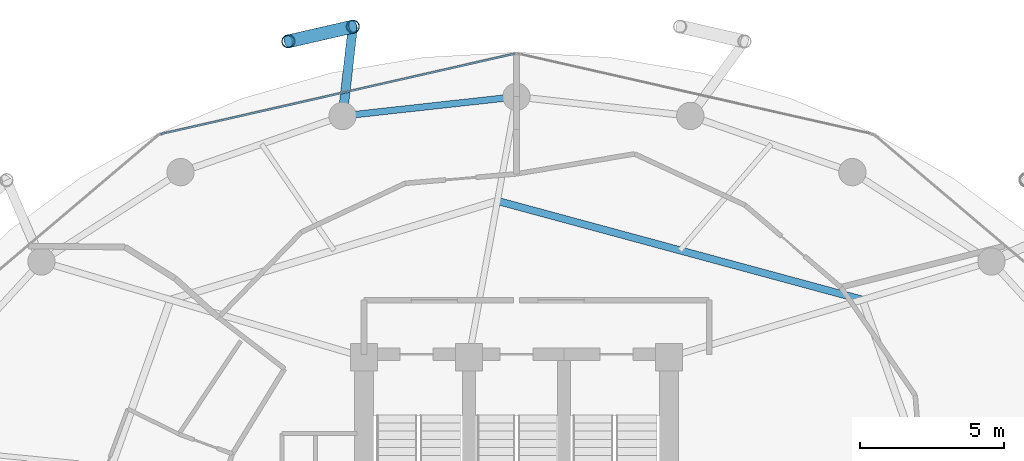
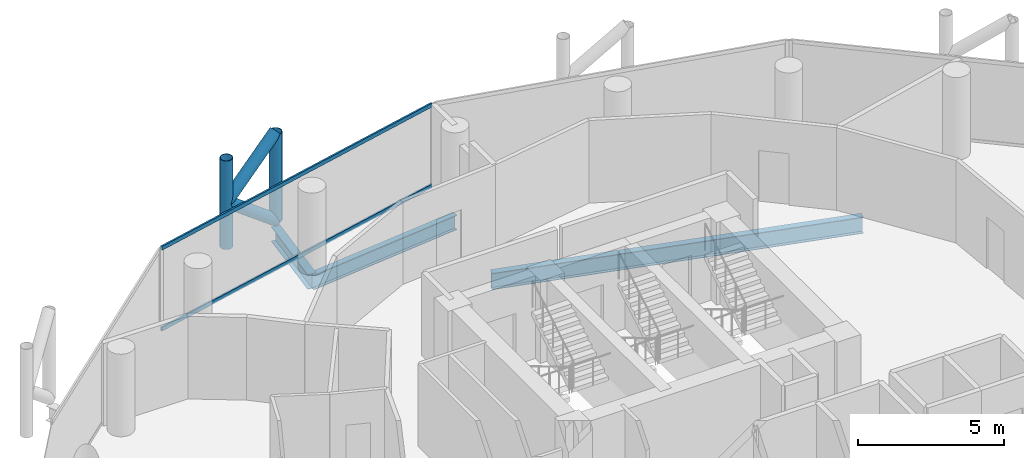
# One storey, part 16 of 26: 6 members, 3 beams, 1 element without a shape of its own.
"""IFC4 building model written with IfcOpenShell, lengths in metres."""

from ifc_helpers import new_model, si_unit, direction, frame, origin, origin_2d, place, context, subcontext, project, spatial, hollow_rectangle, hollow_circle, i_section, extrude, material, layer, layer_set, material_profile, profile_set, type_object, element, aggregate, save


model = new_model("IFC4")

# Units and contexts
model_context = context("Model", 3, precision=1e-05, world=origin(), true_north=direction((0.0, 1.0)))
body_context = subcontext(model_context, "Body", "Model", "MODEL_VIEW")
ifc_project = project(units=[si_unit("LENGTHUNIT", "METRE"), si_unit("AREAUNIT", "SQUARE_METRE"), si_unit("VOLUMEUNIT", "CUBIC_METRE"), si_unit("PLANEANGLEUNIT", "RADIAN"), si_unit("MASSUNIT", "GRAM", prefix="KILO")], contexts=[model_context])

# Site, building, storey
site_placement = place(None, origin())
site = spatial("IfcSite", under=ifc_project, at=site_placement, CompositionType="ELEMENT")
building_placement = place(site_placement, origin())
building = spatial("IfcBuilding", under=site, at=building_placement, Name="Nuhasar Tower", CompositionType="ELEMENT")
storey_placement = place(building_placement, frame((0.0, 0.0, 173.75)))
storey = spatial("IfcBuildingStorey", under=building, at=storey_placement, Name="L42", CompositionType="ELEMENT", Elevation=173.75)

# Beams
ifc_material_1 = material(Name="Steel S355", Category="steel")
ifc_material_profile_1 = material_profile(ifc_material_1, i_section(OverallWidth=0.25390625, OverallDepth=0.68408203125, WebThickness=0.012451171875, FlangeThickness=0.018798828125, at=origin_2d()), Name="W27X94")
ifc_profile_set_1 = profile_set([ifc_material_profile_1], Name="Steel S355")
beam_type_1 = type_object("IfcBeamType", Name="BM-INRING-W27X94", PredefinedType="BEAM", material=ifc_profile_set_1)
beam_1_placement = place(storey_placement, frame((51.027099609375, 39.2939453125, -0.592041015625), z_axis=(-0.96522695776, 0.261413312618, 0.0), x_axis=(-0.261413312618, -0.96522695776, 0.0)))
element("IfcBeam", 1, at=beam_1_placement, inside=storey, type_object=beam_type_1, Name="L42 Inner Header Beam 05", PredefinedType="BEAM", context=body_context, shape_type="SweptSolid", body=[
    extrude(i_section(OverallWidth=0.25390625, OverallDepth=0.68408203125, WebThickness=0.012451171875, FlangeThickness=0.018798828125, at=origin_2d()), origin(), (0.0, 0.0, 1.0), 13.14404296875),
])
ifc_material_profile_2 = material_profile(ifc_material_1, i_section(OverallWidth=0.22998046875, OverallDepth=0.616943359375, WebThickness=0.01318359375, FlangeThickness=0.022216796875, at=origin_2d()), Name="W24X94")
ifc_profile_set_2 = profile_set([ifc_material_profile_2], Name="Steel S355")
beam_type_2 = type_object("IfcBeamType", Name="BM-RING-W24X94", PredefinedType="SPANDREL", material=ifc_profile_set_2)
beam_2_placement = place(storey_placement, frame((39.0, 46.35009765625, -0.55908203125), z_axis=(-0.993981289157, -0.109549974015, 0.0), x_axis=(0.109549974015, -0.993981289157, 0.0)))
element("IfcBeam", 2, at=beam_2_placement, inside=storey, type_object=beam_type_2, Name="L42 Perimeter Ring Spandrel 07", PredefinedType="SPANDREL", context=body_context, shape_type="SweptSolid", body=[
    extrude(i_section(OverallWidth=0.22998046875, OverallDepth=0.616943359375, WebThickness=0.01318359375, FlangeThickness=0.022216796875, at=origin_2d()), origin(), (0.0, 0.0, 1.0), 6.07958984375),
])
ifc_material_profile_3 = material_profile(ifc_material_1, i_section(OverallWidth=0.323974609375, OverallDepth=0.611083984375, WebThickness=0.0126953125, FlangeThickness=0.01904296875, at=origin_2d()), Name="W24X104")
ifc_profile_set_3 = profile_set([ifc_material_profile_3], Name="Steel S355")
beam_type_3 = type_object("IfcBeamType", Name="BM-TIE-W24X104", PredefinedType="BEAM", material=ifc_profile_set_3)
beam_3_placement = place(storey_placement, frame((32.95703125, 45.68408203125, -0.554931640625), z_axis=(0.114167639647, 0.993461499031, 0.0), x_axis=(-0.993461499031, 0.114167639647, 0.0)))
element("IfcBeam", 3, at=beam_3_placement, inside=storey, type_object=beam_type_3, Name="L42 Exoskeleton Node Tie Beam 04", PredefinedType="BEAM", context=body_context, shape_type="SweptSolid", body=[
    extrude(i_section(OverallWidth=0.323974609375, OverallDepth=0.611083984375, WebThickness=0.0126953125, FlangeThickness=0.01904296875, at=origin_2d()), origin(), (0.0, 0.0, 1.0), 3.12646484375),
])

# Curtain wall, members
ifc_material_2 = material(Name="Aluminium 6063-T6", Category="aluminium")
ifc_layer = layer(ifc_material_2, 0.199951171875)
ifc_layer_set = layer_set([ifc_layer], Name="Aluminium 6063-T6")
curtain_wall_type = type_object("IfcCurtainWallType", Name="CW-Z2-HTL", PredefinedType="NOTDEFINED", material=ifc_layer_set)
curtain_wall_placement = place(storey_placement, origin())
curtain_wall = element("IfcCurtainWall", 4, at=curtain_wall_placement, inside=storey, type_object=curtain_wall_type, Name="L42 Unitised Curtain Wall 04", PredefinedType="NOTDEFINED")
ifc_material_profile_4 = material_profile(ifc_material_2, hollow_rectangle(XDim=0.070068359375, YDim=0.159912109375, WallThickness=0.00439453125, at=origin_2d()), Name="CWT-3")
ifc_profile_set_4 = profile_set([ifc_material_profile_4], Name="Aluminium 6063-T6")
member_type_1 = type_object("IfcMemberType", Name="CW-TRN-S3", PredefinedType="USERDEFINED", material=ifc_profile_set_4)
member_1_placement = place(storey_placement, frame((38.931640625, 47.844482421875, 0.034912109375), z_axis=(-0.975183434528, -0.221398439519, 0.0), x_axis=(0.221398439519, -0.975183434528, 0.0)))
member_1 = element("IfcMember", 5, at=member_1_placement, type_object=member_type_1, Name="CW-Z2 transom 1.1", ObjectType="TRANSOM", PredefinedType="USERDEFINED", context=body_context, shape_type="SweptSolid", body=[
    extrude(hollow_rectangle(XDim=0.070068359375, YDim=0.159912109375, WallThickness=0.00439453125, at=origin_2d()), origin(), (0.0, 0.0, 1.0), 12.606201171875),
])
member_2_placement = place(storey_placement, frame((38.931640625, 47.844482421875, 3.4150390625), z_axis=(-0.975183434528, -0.221398439519, 0.0), x_axis=(0.221398439519, -0.975183434528, 0.0)))
member_2 = element("IfcMember", 6, at=member_2_placement, type_object=member_type_1, Name="CW-Z2 transom 1.2", ObjectType="TRANSOM", PredefinedType="USERDEFINED", context=body_context, shape_type="SweptSolid", body=[
    extrude(hollow_rectangle(XDim=0.070068359375, YDim=0.159912109375, WallThickness=0.00439453125, at=origin_2d()), origin(), (0.0, 0.0, 1.0), 12.606201171875),
])
aggregate(curtain_wall, [member_1, member_2])

# Members
ifc_material_3 = material(Name="Steel S460", Category="steel")
ifc_material_profile_5 = material_profile(ifc_material_3, hollow_circle(Radius=0.228515625, WallThickness=0.022216796875, at=origin_2d()), Name="HSS457X22.2")
ifc_profile_set_5 = profile_set([ifc_material_profile_5], Name="Steel S460")
member_type_2 = type_object("IfcMemberType", Name="EXO-BRONZE-457", PredefinedType="BRACE", material=ifc_profile_set_5)
for number, where, z_axis, x_axis, name in (
    (7, (33.31396484375, 48.7900390625, 0.0), (0.0, 0.0, 1.0), (1.0, 0.0, 0.0), "L42 Exoskeleton Chord Column EC-04A"),
    (8, (31.072021484375, 48.27587890625, 0.0), (0.0, 0.0, 1.0), (1.0, 0.0, 0.0), "L42 Exoskeleton Chord Column EC-04B"),
):
    element("IfcMember", number, at=place(storey_placement, frame(where, z_axis=z_axis, x_axis=x_axis)), inside=storey, type_object=member_type_2, Name=name, PredefinedType="BRACE", context=body_context, shape_type="SweptSolid", body=[
        extrude(hollow_circle(Radius=0.228515625, WallThickness=0.022216796875, at=origin_2d()), origin(), (0.0, 0.0, 1.0), 3.699951171875),
    ])
member_3_placement = place(storey_placement, frame((33.31396484375, 48.7900390625, 0.0), z_axis=(-0.759499549084, -0.174181209885, 0.626754609927), x_axis=(0.223533724104, -0.974696195842, 0.0)))
element("IfcMember", 9, at=member_3_placement, inside=storey, type_object=member_type_2, Name="L42 Bronze Diagrid Brace W1-04", PredefinedType="BRACE", context=body_context, shape_type="SweptSolid", body=[
    extrude(hollow_circle(Radius=0.228515625, WallThickness=0.022216796875, at=origin_2d()), origin(), (0.0, 0.0, 1.0), 2.951904296875),
])
member_4_placement = place(storey_placement, frame((31.072021484375, 48.27587890625, 1.85009765625), z_axis=(0.759538919781, 0.174190239035, 0.626704388019), x_axis=(-0.223533724104, 0.974696195842, 0.0)))
element("IfcMember", 10, at=member_4_placement, inside=storey, type_object=member_type_2, Name="L42 Bronze Diagrid Brace W2-04", PredefinedType="BRACE", context=body_context, shape_type="SweptSolid", body=[
    extrude(hollow_circle(Radius=0.228515625, WallThickness=0.022216796875, at=origin_2d()), origin(), (0.0, 0.0, 1.0), 2.95166015625),
])

save(model, "model.ifc")
